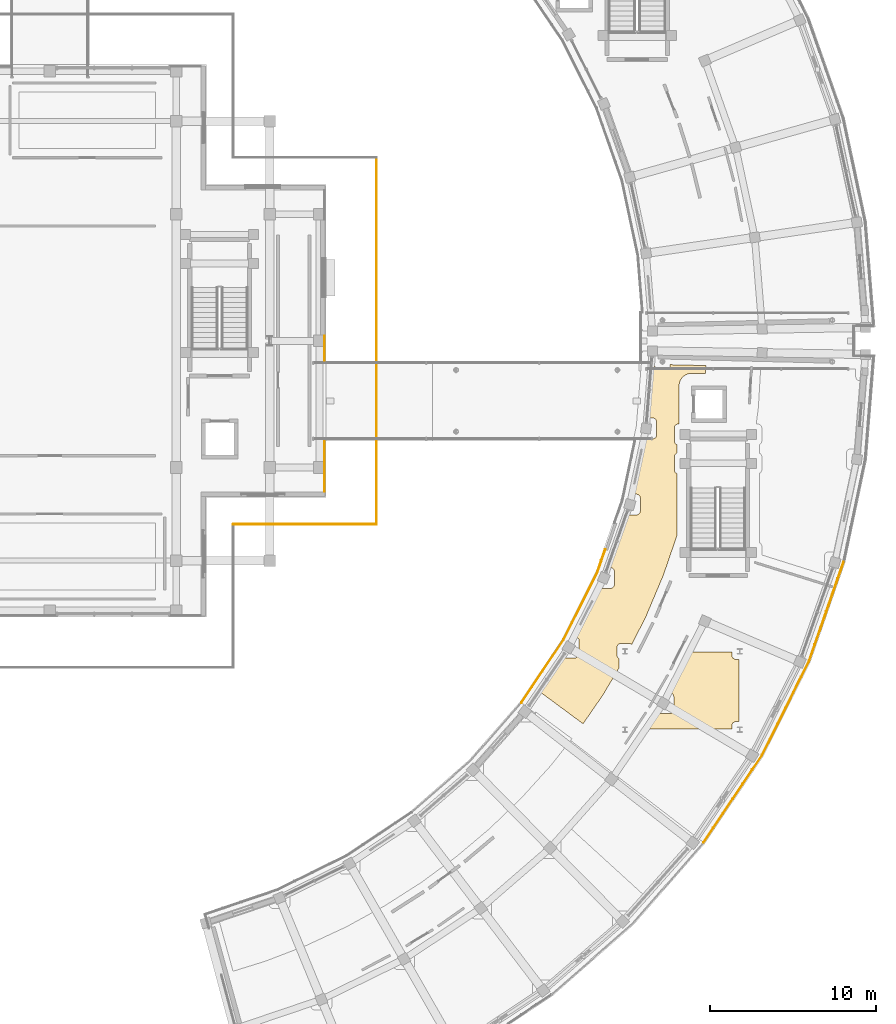
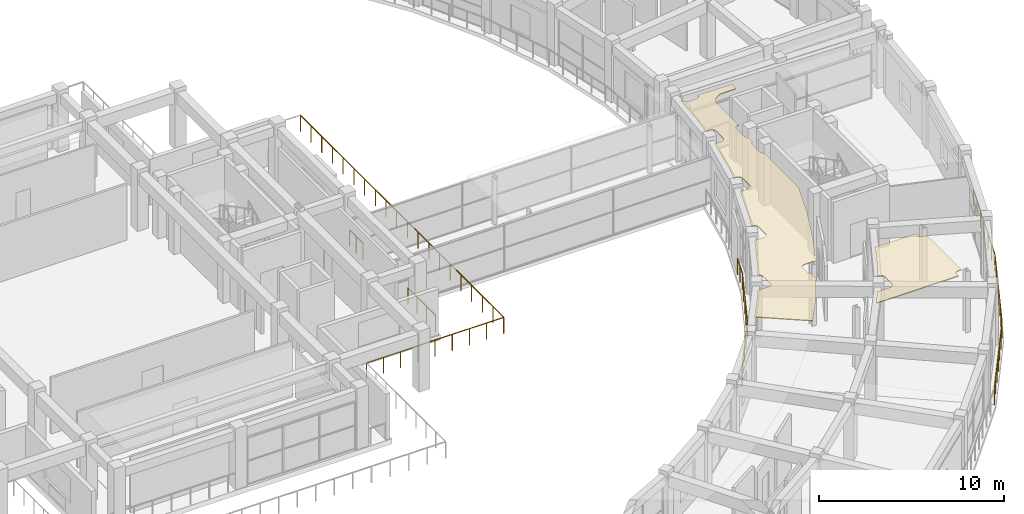
# One storey, part 47 of 53: 10 railings, 2 coverings.
"""IFC4 building model written with IfcOpenShell, lengths in metres."""

from ifc_helpers import new_model, si_unit, direction, frame, origin, origin_2d, place, context, subcontext, project, spatial, polyline, rectangle, outline, extrude, material, layer, layer_set, type_object, element, save


model = new_model("IFC4")

# Units and contexts
model_context = context("Model", 3, precision=1e-05, world=origin(), true_north=direction((0.0, 1.0)))
body_context = subcontext(model_context, "Body", "Model", "MODEL_VIEW")
ifc_project = project(units=[si_unit("LENGTHUNIT", "METRE"), si_unit("AREAUNIT", "SQUARE_METRE"), si_unit("VOLUMEUNIT", "CUBIC_METRE"), si_unit("PLANEANGLEUNIT", "RADIAN"), si_unit("MASSUNIT", "GRAM", prefix="KILO")], contexts=[model_context])

# Site, building, storey
site_placement = place(None, origin())
site = spatial("IfcSite", under=ifc_project, at=site_placement, CompositionType="ELEMENT")
building_placement = place(site_placement, origin())
building = spatial("IfcBuilding", under=site, at=building_placement, Name="Saryqyr Civic Hall", CompositionType="ELEMENT")
storey_placement = place(building_placement, frame((0.0, 0.0, 21.300048828125)))
storey = spatial("IfcBuildingStorey", under=building, at=storey_placement, Name="L05", CompositionType="ELEMENT", Elevation=21.300048828125)

# Railings
ifc_material_1 = material(Name="Stainless steel and laminated glass", Category="steel")
ifc_layer_1 = layer(ifc_material_1, 0.06005859375, Name="Stainless steel and laminated glass")
ifc_layer_set_1 = layer_set([ifc_layer_1], Name="Stainless steel and laminated glass")
railing_type_1 = type_object("IfcRailingType", Name="ENV-RLG-BAL-1100", PredefinedType="BALUSTRADE", material=ifc_layer_set_1)
railing_1_placement = place(storey_placement, frame((68.02001953125, 72.97998046875, 0.0)))
element("IfcRailing", 1, at=railing_1_placement, inside=storey, type_object=railing_type_1, Name="Perimeter safety balustrade V1-STEPG-L05-G03", PredefinedType="BALUSTRADE", context=body_context, shape_type="SweptSolid", body=[
    extrude(rectangle(XDim=0.048095703125, YDim=0.048095703125, at=origin_2d()), frame((0.0, 0.0, 1.076171875), z_axis=(1.0, 0.0, 0.0), x_axis=(0.0, 1.0, 0.0)), (0.0, 0.0, 1.0), 8.60009765625),
    extrude(rectangle(XDim=0.0419921875, YDim=0.0419921875, at=origin_2d()), origin(), (0.0, 0.0, 1.0), 1.052001953125),
    extrude(rectangle(XDim=0.0419921875, YDim=0.0419921875, at=origin_2d()), frame((1.074951171875, 0.0, 0.0)), (0.0, 0.0, 1.0), 1.052001953125),
    extrude(rectangle(XDim=0.0419921875, YDim=0.0419921875, at=origin_2d()), frame((2.14990234375, 0.0, 0.0)), (0.0, 0.0, 1.0), 1.052001953125),
    extrude(rectangle(XDim=0.0419921875, YDim=0.0419921875, at=origin_2d()), frame((3.22509765625, 0.0, 0.0)), (0.0, 0.0, 1.0), 1.052001953125),
    extrude(rectangle(XDim=0.0419921875, YDim=0.0419921875, at=origin_2d()), frame((4.300048828125, 0.0, 0.0)), (0.0, 0.0, 1.0), 1.052001953125),
    extrude(rectangle(XDim=0.0419921875, YDim=0.0419921875, at=origin_2d()), frame((5.375, 0.0, 0.0)), (0.0, 0.0, 1.0), 1.052001953125),
    extrude(rectangle(XDim=0.0419921875, YDim=0.0419921875, at=origin_2d()), frame((6.4501953125, 0.0, 0.0)), (0.0, 0.0, 1.0), 1.052001953125),
    extrude(rectangle(XDim=0.0419921875, YDim=0.0419921875, at=origin_2d()), frame((7.525146484375, 0.0, 0.0)), (0.0, 0.0, 1.0), 1.052001953125),
    extrude(rectangle(XDim=0.0419921875, YDim=0.0419921875, at=origin_2d()), frame((8.60009765625, 0.0, 0.0)), (0.0, 0.0, 1.0), 1.052001953125),
])
railing_2_placement = place(storey_placement, frame((76.6201171875, 72.97998046875, 0.0)))
element("IfcRailing", 2, at=railing_2_placement, inside=storey, type_object=railing_type_1, Name="Perimeter safety balustrade V1-STEPG-L05-G04", PredefinedType="BALUSTRADE", context=body_context, shape_type="SweptSolid", body=[
    extrude(rectangle(XDim=0.048095703125, YDim=0.048095703125, at=origin_2d()), frame((0.0, 0.0, 1.076171875), z_axis=(0.0, 1.0, 0.0), x_axis=(-1.0, 0.0, 0.0)), (0.0, 0.0, 1.0), 22.0400390625),
    extrude(rectangle(XDim=0.0419921875, YDim=0.0419921875, at=origin_2d()), origin(), (0.0, 0.0, 1.0), 1.052001953125),
    extrude(rectangle(XDim=0.0419921875, YDim=0.0419921875, at=origin_2d()), frame((0.0, 1.159912109375, 0.0)), (0.0, 0.0, 1.0), 1.052001953125),
    extrude(rectangle(XDim=0.0419921875, YDim=0.0419921875, at=origin_2d()), frame((0.0, 2.320068359375, 0.0)), (0.0, 0.0, 1.0), 1.052001953125),
    extrude(rectangle(XDim=0.0419921875, YDim=0.0419921875, at=origin_2d()), frame((0.0, 3.47998046875, 0.0)), (0.0, 0.0, 1.0), 1.052001953125),
    extrude(rectangle(XDim=0.0419921875, YDim=0.0419921875, at=origin_2d()), frame((0.0, 4.639892578125, 0.0)), (0.0, 0.0, 1.0), 1.052001953125),
    extrude(rectangle(XDim=0.0419921875, YDim=0.0419921875, at=origin_2d()), frame((0.0, 5.800048828125, 0.0)), (0.0, 0.0, 1.0), 1.052001953125),
    extrude(rectangle(XDim=0.0419921875, YDim=0.0419921875, at=origin_2d()), frame((0.0, 6.9599609375, 0.0)), (0.0, 0.0, 1.0), 1.052001953125),
    extrude(rectangle(XDim=0.0419921875, YDim=0.0419921875, at=origin_2d()), frame((0.0, 8.1201171875, 0.0)), (0.0, 0.0, 1.0), 1.052001953125),
    extrude(rectangle(XDim=0.0419921875, YDim=0.0419921875, at=origin_2d()), frame((0.0, 9.280029296875, 0.0)), (0.0, 0.0, 1.0), 1.052001953125),
    extrude(rectangle(XDim=0.0419921875, YDim=0.0419921875, at=origin_2d()), frame((0.0, 10.43994140625, 0.0)), (0.0, 0.0, 1.0), 1.052001953125),
    extrude(rectangle(XDim=0.0419921875, YDim=0.0419921875, at=origin_2d()), frame((0.0, 11.60009765625, 0.0)), (0.0, 0.0, 1.0), 1.052001953125),
    extrude(rectangle(XDim=0.0419921875, YDim=0.0419921875, at=origin_2d()), frame((0.0, 12.760009765625, 0.0)), (0.0, 0.0, 1.0), 1.052001953125),
    extrude(rectangle(XDim=0.0419921875, YDim=0.0419921875, at=origin_2d()), frame((0.0, 13.919921875, 0.0)), (0.0, 0.0, 1.0), 1.052001953125),
    extrude(rectangle(XDim=0.0419921875, YDim=0.0419921875, at=origin_2d()), frame((0.0, 15.080078125, 0.0)), (0.0, 0.0, 1.0), 1.052001953125),
    extrude(rectangle(XDim=0.0419921875, YDim=0.0419921875, at=origin_2d()), frame((0.0, 16.239990234375, 0.0)), (0.0, 0.0, 1.0), 1.052001953125),
    extrude(rectangle(XDim=0.0419921875, YDim=0.0419921875, at=origin_2d()), frame((0.0, 17.400146484375, 0.0)), (0.0, 0.0, 1.0), 1.052001953125),
    extrude(rectangle(XDim=0.0419921875, YDim=0.0419921875, at=origin_2d()), frame((0.0, 18.56005859375, 0.0)), (0.0, 0.0, 1.0), 1.052001953125),
    extrude(rectangle(XDim=0.0419921875, YDim=0.0419921875, at=origin_2d()), frame((0.0, 19.719970703125, 0.0)), (0.0, 0.0, 1.0), 1.052001953125),
    extrude(rectangle(XDim=0.0419921875, YDim=0.0419921875, at=origin_2d()), frame((0.0, 20.880126953125, 0.0)), (0.0, 0.0, 1.0), 1.052001953125),
    extrude(rectangle(XDim=0.0419921875, YDim=0.0419921875, at=origin_2d()), frame((0.0, 22.0400390625, 0.0)), (0.0, 0.0, 1.0), 1.052001953125),
])

# Coverings
ifc_material_2 = material(Name="Mineral-fibre acoustic ceiling tile", Category="acoustic_tile")
ifc_layer_2 = layer(ifc_material_2, 0.06005859375, Name="Mineral-fibre acoustic ceiling tile")
ifc_layer_set_2 = layer_set([ifc_layer_2], Name="Mineral-fibre acoustic ceiling tile")
covering_type = type_object("IfcCoveringType", Name="INT-COV-CEIL-60", PredefinedType="CEILING", material=ifc_layer_set_2)
covering_1_placement = place(storey_placement, frame((0.0, 0.0, 3.72998046875)))
element("IfcCovering", 3, at=covering_1_placement, inside=storey, type_object=covering_type, Name="Acoustic ceiling Elected Members' Working Offices", PredefinedType="CEILING", context=body_context, shape_type="SweptSolid", body=[
    extrude(outline(polyline([(93.364501953125, 61.52392578125), (93.38232421875, 61.552978515625), (93.41455078125, 61.609130859375), (93.42236328125, 61.607177734375), (93.44677734375, 61.603515625), (93.47119140625, 61.602294921875), (94.231201171875, 61.602294921875), (94.255615234375, 61.603515625), (94.280029296875, 61.607177734375), (94.3037109375, 61.613037109375), (94.326904296875, 61.621337890625), (94.34912109375, 61.6318359375), (94.3701171875, 61.644287109375), (94.389892578125, 61.658935546875), (94.407958984375, 61.675537109375), (94.424560546875, 61.693603515625), (94.439208984375, 61.71337890625), (94.45166015625, 61.734619140625), (94.462158203125, 61.756591796875), (94.470458984375, 61.77978515625), (94.476318359375, 61.803466796875), (94.47998046875, 61.827880859375), (94.481201171875, 61.852294921875), (94.481201171875, 62.6123046875), (94.47998046875, 62.63671875), (94.476318359375, 62.6611328125), (94.470458984375, 62.684814453125), (94.462158203125, 62.7080078125), (94.45166015625, 62.72998046875), (94.439208984375, 62.751220703125), (94.424560546875, 62.77099609375), (94.407958984375, 62.7890625), (94.389892578125, 62.8056640625), (94.3701171875, 62.8203125), (94.34912109375, 62.832763671875), (94.326904296875, 62.84326171875), (94.3037109375, 62.8515625), (94.280029296875, 62.857421875), (94.255615234375, 62.861083984375), (94.231201171875, 62.8623046875), (94.1357421875, 62.8623046875), (94.689208984375, 63.823974609375), (94.705078125, 63.85400390625), (95.421630859375, 65.300048828125), (97.969970703125, 65.300048828125), (97.969970703125, 65.1201171875), (97.97119140625, 65.095458984375), (97.974853515625, 65.0712890625), (97.980712890625, 65.04736328125), (97.989013671875, 65.0244140625), (97.99951171875, 65.002197265625), (98.01220703125, 64.981201171875), (98.026611328125, 64.96142578125), (98.043212890625, 64.943115234375), (98.061279296875, 64.9267578125), (98.0810546875, 64.912109375), (98.102294921875, 64.8994140625), (98.124267578125, 64.888916015625), (98.1474609375, 64.880859375), (98.171142578125, 64.874755859375), (98.195556640625, 64.87109375), (98.219970703125, 64.8701171875), (98.39990234375, 64.8701171875), (98.39990234375, 61.1298828125), (98.219970703125, 61.1298828125), (98.195556640625, 61.12890625), (98.171142578125, 61.125244140625), (98.1474609375, 61.119140625), (98.124267578125, 61.111083984375), (98.102294921875, 61.1005859375), (98.0810546875, 61.087890625), (98.061279296875, 61.0732421875), (98.043212890625, 61.056884765625), (98.026611328125, 61.03857421875), (98.01220703125, 61.018798828125), (97.99951171875, 60.997802734375), (97.989013671875, 60.9755859375), (97.980712890625, 60.95263671875), (97.974853515625, 60.9287109375), (97.97119140625, 60.904541015625), (97.969970703125, 60.8798828125), (97.969970703125, 60.699951171875), (92.819580078125, 60.699951171875), (93.364501953125, 61.52392578125)])), origin(), (0.0, 0.0, 1.0), 0.06005859375),
])
covering_2_placement = place(storey_placement, frame((0.0, 0.0, 3.719970703125)))
element("IfcCovering", 4, at=covering_2_placement, inside=storey, type_object=covering_type, Name="Acoustic ceiling Council Secretariat & Verbatim Office", PredefinedType="CEILING", context=body_context, shape_type="SweptSolid", body=[
    extrude(outline(polyline([(91.938720703125, 65.773193359375), (91.9189453125, 65.787841796875), (91.897705078125, 65.800537109375), (91.875732421875, 65.81103515625), (91.8525390625, 65.819091796875), (91.828857421875, 65.8251953125), (91.804443359375, 65.828857421875), (91.780029296875, 65.830078125), (91.320068359375, 65.830078125), (91.29541015625, 65.828857421875), (91.271240234375, 65.8251953125), (91.247314453125, 65.819091796875), (91.224365234375, 65.81103515625), (91.2021484375, 65.800537109375), (91.18115234375, 65.787841796875), (91.161376953125, 65.773193359375), (91.143310546875, 65.7568359375), (91.126708984375, 65.738525390625), (91.112060546875, 65.718994140625), (91.099609375, 65.69775390625), (91.089111328125, 65.67578125), (91.080810546875, 65.652587890625), (91.07470703125, 65.62890625), (91.0712890625, 65.6044921875), (91.070068359375, 65.580078125), (91.070068359375, 65.1201171875), (91.0712890625, 65.095458984375), (91.07470703125, 65.0712890625), (91.080810546875, 65.04736328125), (91.089111328125, 65.0244140625), (91.099609375, 65.002197265625), (91.112060546875, 64.981201171875), (91.126708984375, 64.96142578125), (91.143310546875, 64.943115234375), (91.161376953125, 64.9267578125), (91.18115234375, 64.912109375), (91.18408203125, 64.910400390625), (91.184814453125, 64.349365234375), (90.233154296875, 62.74365234375), (89.03125, 60.99853515625), (86.475830078125, 62.89013671875), (87.544189453125, 64.44140625), (87.564453125, 64.472900390625), (87.8525390625, 64.958984375), (88.548583984375, 64.958984375), (88.572998046875, 64.960205078125), (88.597412109375, 64.9638671875), (88.62109375, 64.9697265625), (88.644287109375, 64.97802734375), (88.666259765625, 64.988525390625), (88.6875, 65.001220703125), (88.70703125, 65.015625), (88.725341796875, 65.0322265625), (88.74169921875, 65.05029296875), (88.75634765625, 65.070068359375), (88.76904296875, 65.09130859375), (88.779541015625, 65.11328125), (88.78759765625, 65.136474609375), (88.793701171875, 65.16015625), (88.79736328125, 65.1845703125), (88.798583984375, 65.208984375), (88.798583984375, 65.968994140625), (88.79736328125, 65.993408203125), (88.793701171875, 66.017822265625), (88.78759765625, 66.04150390625), (88.779541015625, 66.064697265625), (88.76904296875, 66.0869140625), (88.75634765625, 66.10791015625), (88.74169921875, 66.127685546875), (88.725341796875, 66.145751953125), (88.70703125, 66.162353515625), (88.6875, 66.177001953125), (88.666259765625, 66.189453125), (88.644287109375, 66.199951171875), (88.62109375, 66.208251953125), (88.597412109375, 66.214111328125), (88.596435546875, 66.21435546875), (88.805908203125, 66.56787109375), (88.823974609375, 66.6005859375), (89.919677734375, 68.775390625), (89.935302734375, 68.809326171875), (90.0703125, 69.129638671875), (90.661376953125, 69.129638671875), (90.685791015625, 69.130859375), (90.710205078125, 69.134521484375), (90.73388671875, 69.140380859375), (90.757080078125, 69.148681640625), (90.779296875, 69.1591796875), (90.80029296875, 69.171630859375), (90.820068359375, 69.186279296875), (90.838134765625, 69.202880859375), (90.854736328125, 69.220947265625), (90.869384765625, 69.24072265625), (90.8818359375, 69.26171875), (90.892333984375, 69.283935546875), (90.900634765625, 69.306884765625), (90.906494140625, 69.330810546875), (90.91015625, 69.35498046875), (90.911376953125, 69.379638671875), (90.911376953125, 70.1396484375), (90.91015625, 70.1640625), (90.906494140625, 70.1884765625), (90.900634765625, 70.212158203125), (90.892333984375, 70.2353515625), (90.8818359375, 70.25732421875), (90.869384765625, 70.278564453125), (90.854736328125, 70.298095703125), (90.838134765625, 70.31640625), (90.820068359375, 70.3330078125), (90.80029296875, 70.347412109375), (90.779296875, 70.360107421875), (90.757080078125, 70.37060546875), (90.73388671875, 70.37890625), (90.710205078125, 70.384765625), (90.685791015625, 70.388427734375), (90.661376953125, 70.3896484375), (90.600830078125, 70.3896484375), (90.88037109375, 71.053466796875), (90.893798828125, 71.088623046875), (91.683837890625, 73.39208984375), (91.694580078125, 73.427734375), (91.72412109375, 73.537841796875), (92.21923828125, 73.537841796875), (92.24365234375, 73.5390625), (92.26806640625, 73.54248046875), (92.291748046875, 73.548583984375), (92.31494140625, 73.556884765625), (92.3369140625, 73.5673828125), (92.358154296875, 73.579833984375), (92.377685546875, 73.594482421875), (92.39599609375, 73.611083984375), (92.41259765625, 73.629150390625), (92.427001953125, 73.64892578125), (92.439697265625, 73.669921875), (92.4501953125, 73.692138671875), (92.45849609375, 73.715087890625), (92.46435546875, 73.739013671875), (92.468017578125, 73.76318359375), (92.46923828125, 73.787841796875), (92.46923828125, 74.5478515625), (92.468017578125, 74.572265625), (92.46435546875, 74.5966796875), (92.45849609375, 74.620361328125), (92.4501953125, 74.6435546875), (92.439697265625, 74.66552734375), (92.427001953125, 74.686767578125), (92.41259765625, 74.706298828125), (92.39599609375, 74.724609375), (92.377685546875, 74.7412109375), (92.358154296875, 74.755615234375), (92.3369140625, 74.768310546875), (92.31494140625, 74.77880859375), (92.291748046875, 74.787109375), (92.26806640625, 74.79296875), (92.24365234375, 74.796630859375), (92.21923828125, 74.7978515625), (92.0625, 74.7978515625), (92.325927734375, 75.779541015625), (92.33447265625, 75.816162109375), (92.78515625, 78.10986328125), (93.19580078125, 78.10986328125), (93.22021484375, 78.111083984375), (93.24462890625, 78.11474609375), (93.268310546875, 78.12060546875), (93.29150390625, 78.12890625), (93.313720703125, 78.139404296875), (93.334716796875, 78.152099609375), (93.3544921875, 78.16650390625), (93.37255859375, 78.18310546875), (93.38916015625, 78.201416015625), (93.40380859375, 78.220947265625), (93.416259765625, 78.2421875), (93.4267578125, 78.26416015625), (93.43505859375, 78.287353515625), (93.44091796875, 78.31103515625), (93.444580078125, 78.33544921875), (93.44580078125, 78.35986328125), (93.44580078125, 79.119873046875), (93.444580078125, 79.144287109375), (93.44091796875, 79.168701171875), (93.43505859375, 79.1923828125), (93.4267578125, 79.215576171875), (93.416259765625, 79.23779296875), (93.40380859375, 79.2587890625), (93.38916015625, 79.278564453125), (93.37255859375, 79.296630859375), (93.3544921875, 79.313232421875), (93.334716796875, 79.327880859375), (93.313720703125, 79.34033203125), (93.29150390625, 79.350830078125), (93.268310546875, 79.359130859375), (93.24462890625, 79.364990234375), (93.22021484375, 79.36865234375), (93.19580078125, 79.369873046875), (92.952392578125, 79.369873046875), (93.115478515625, 80.658447265625), (93.118896484375, 80.69580078125), (93.228515625, 82.595947265625), (93.33349609375, 82.593505859375), (93.33349609375, 82.533447265625), (93.334716796875, 82.509033203125), (93.33837890625, 82.484619140625), (93.34423828125, 82.4609375), (93.3525390625, 82.437744140625), (93.363037109375, 82.415771484375), (93.37548828125, 82.39453125), (93.39013671875, 82.375), (93.40673828125, 82.356689453125), (93.4248046875, 82.340087890625), (93.444580078125, 82.32568359375), (93.4658203125, 82.31298828125), (93.48779296875, 82.302490234375), (93.510986328125, 82.294189453125), (93.53466796875, 82.288330078125), (93.55908203125, 82.28466796875), (93.58349609375, 82.283447265625), (94.0166015625, 82.283447265625), (94.041015625, 82.28466796875), (94.065185546875, 82.288330078125), (94.089111328125, 82.294189453125), (94.1123046875, 82.302490234375), (94.13427734375, 82.31298828125), (94.155517578125, 82.32568359375), (94.175048828125, 82.340087890625), (94.193359375, 82.356689453125), (94.209716796875, 82.375), (94.224365234375, 82.39453125), (94.237060546875, 82.415771484375), (94.24755859375, 82.437744140625), (94.255615234375, 82.4609375), (94.26171875, 82.484619140625), (94.265380859375, 82.509033203125), (94.2666015625, 82.533447265625), (94.2666015625, 82.571533203125), (96.406982421875, 82.521240234375), (96.3798828125, 82.050048828125), (95.550048828125, 82.050048828125), (95.530517578125, 82.049560546875), (95.49609375, 82.0478515625), (95.45703125, 82.0439453125), (95.423095703125, 82.038818359375), (95.384521484375, 82.03125), (95.351318359375, 82.02294921875), (95.313720703125, 82.011474609375), (95.28125, 82.0), (95.2451171875, 81.985107421875), (95.214111328125, 81.97021484375), (95.179443359375, 81.951904296875), (95.14990234375, 81.93408203125), (95.1171875, 81.912353515625), (95.089599609375, 81.891845703125), (95.059326171875, 81.866943359375), (95.033935546875, 81.843994140625), (95.006103515625, 81.816162109375), (94.983154296875, 81.790771484375), (94.958251953125, 81.76025390625), (94.937744140625, 81.732666015625), (94.916015625, 81.7001953125), (94.898193359375, 81.670654296875), (94.879638671875, 81.635986328125), (94.864990234375, 81.60498046875), (94.85009765625, 81.568603515625), (94.83837890625, 81.536376953125), (94.8271484375, 81.498779296875), (94.818603515625, 81.465576171875), (94.81103515625, 81.427001953125), (94.805908203125, 81.39306640625), (94.80224609375, 81.35400390625), (94.800537109375, 81.319580078125), (94.800048828125, 81.300048828125), (94.800048828125, 79.10009765625), (94.800537109375, 79.080322265625), (94.80224609375, 79.046142578125), (94.8056640625, 79.010009765625), (94.760009765625, 79.010009765625), (94.735595703125, 79.0087890625), (94.711181640625, 79.005126953125), (94.6875, 78.999267578125), (94.664306640625, 78.990966796875), (94.64208984375, 78.98046875), (94.62109375, 78.968017578125), (94.601318359375, 78.953369140625), (94.583251953125, 78.936767578125), (94.566650390625, 78.918701171875), (94.552001953125, 78.89892578125), (94.53955078125, 78.877685546875), (94.529052734375, 78.855712890625), (94.520751953125, 78.83251953125), (94.514892578125, 78.808837890625), (94.51123046875, 78.784423828125), (94.510009765625, 78.760009765625), (94.510009765625, 78.0), (94.51123046875, 77.9755859375), (94.514892578125, 77.951171875), (94.520751953125, 77.927490234375), (94.529052734375, 77.904296875), (94.53955078125, 77.882080078125), (94.552001953125, 77.861083984375), (94.566650390625, 77.84130859375), (94.583251953125, 77.8232421875), (94.601318359375, 77.806640625), (94.62109375, 77.7919921875), (94.64208984375, 77.779541015625), (94.659912109375, 77.77099609375), (94.659912109375, 77.2587890625), (94.64208984375, 77.25048828125), (94.62109375, 77.23779296875), (94.601318359375, 77.223388671875), (94.583251953125, 77.206787109375), (94.566650390625, 77.188720703125), (94.552001953125, 77.1689453125), (94.53955078125, 77.147705078125), (94.529052734375, 77.125732421875), (94.520751953125, 77.1025390625), (94.514892578125, 77.078857421875), (94.51123046875, 77.054443359375), (94.510009765625, 77.030029296875), (94.510009765625, 76.27001953125), (94.51123046875, 76.24560546875), (94.514892578125, 76.22119140625), (94.520751953125, 76.197509765625), (94.529052734375, 76.17431640625), (94.53955078125, 76.152099609375), (94.552001953125, 76.131103515625), (94.566650390625, 76.111328125), (94.583251953125, 76.09326171875), (94.601318359375, 76.07666015625), (94.62109375, 76.06201171875), (94.64208984375, 76.049560546875), (94.659912109375, 76.041015625), (94.659912109375, 72.275634765625), (93.858154296875, 69.9375), (92.814453125, 67.458984375), (91.956787109375, 65.7568359375), (91.938720703125, 65.773193359375)])), origin(), (0.0, 0.0, 1.0), 0.06005859375),
])

# Railings
ifc_material_3 = material(Name="Warm brushed brass and laminated glass", Category="glass")
ifc_layer_3 = layer(ifc_material_3, 0.06005859375, Name="Warm brushed brass and laminated glass")
ifc_layer_set_3 = layer_set([ifc_layer_3], Name="Warm brushed brass and laminated glass")
railing_type_2 = type_object("IfcRailingType", Name="INT-RLG-BAL-1100", PredefinedType="BALUSTRADE", material=ifc_layer_set_3)
railing_3_placement = place(storey_placement, frame((73.5, 84.284912109375, 0.0)))
element("IfcRailing", 5, at=railing_3_placement, inside=storey, type_object=railing_type_2, Name="Interior deck safety balustrade L05-008", PredefinedType="BALUSTRADE", context=body_context, shape_type="SweptSolid", body=[
    extrude(rectangle(XDim=0.048095703125, YDim=0.048095703125, at=origin_2d()), frame((0.0, 0.0, 1.09619140625), z_axis=(0.0, -1.0, 0.0), x_axis=(1.0, 0.0, 0.0)), (0.0, 0.0, 1.0), 1.44482421875),
    extrude(rectangle(XDim=0.0419921875, YDim=0.0419921875, at=origin_2d()), origin(), (0.0, 0.0, 1.0), 1.072021484375),
    extrude(rectangle(XDim=0.0419921875, YDim=0.0419921875, at=origin_2d()), frame((0.0, -0.722412109375, 0.0)), (0.0, 0.0, 1.0), 1.072021484375),
    extrude(rectangle(XDim=0.0419921875, YDim=0.0419921875, at=origin_2d()), frame((0.0, -1.44482421875, 0.0)), (0.0, 0.0, 1.0), 1.072021484375),
])
railing_4_placement = place(storey_placement, frame((104.683349609375, 70.71337890625, 0.0)))
element("IfcRailing", 6, at=railing_4_placement, inside=storey, type_object=railing_type_2, Name="Interior deck safety balustrade L05-037", PredefinedType="BALUSTRADE", context=body_context, shape_type="SweptSolid", body=[
    extrude(rectangle(XDim=0.048095703125, YDim=0.048095703125, at=origin_2d()), frame((0.0, 0.0, 1.09619140625), z_axis=(-0.329288741156, -0.944229275625, 0.0), x_axis=(0.944229275625, -0.329288741156, 0.0)), (0.0, 0.0, 1.0), 6.31103515625),
    extrude(rectangle(XDim=0.0419921875, YDim=0.0419921875, at=origin_2d()), origin(), (0.0, 0.0, 1.0), 1.072021484375),
    extrude(rectangle(XDim=0.0419921875, YDim=0.0419921875, at=origin_2d()), frame((-0.346435546875, -0.9931640625, 0.0)), (0.0, 0.0, 1.0), 1.072021484375),
    extrude(rectangle(XDim=0.0419921875, YDim=0.0419921875, at=origin_2d()), frame((-0.692626953125, -1.986328125, 0.0)), (0.0, 0.0, 1.0), 1.072021484375),
    extrude(rectangle(XDim=0.0419921875, YDim=0.0419921875, at=origin_2d()), frame((-1.0390625, -2.9794921875, 0.0)), (0.0, 0.0, 1.0), 1.072021484375),
    extrude(rectangle(XDim=0.0419921875, YDim=0.0419921875, at=origin_2d()), frame((-1.385498046875, -3.97265625, 0.0)), (0.0, 0.0, 1.0), 1.072021484375),
    extrude(rectangle(XDim=0.0419921875, YDim=0.0419921875, at=origin_2d()), frame((-1.731689453125, -4.9658203125, 0.0)), (0.0, 0.0, 1.0), 1.072021484375),
    extrude(rectangle(XDim=0.0419921875, YDim=0.0419921875, at=origin_2d()), frame((-2.078125, -5.958984375, 0.0)), (0.0, 0.0, 1.0), 1.072021484375),
])
railing_5_placement = place(storey_placement, frame((102.605224609375, 64.75439453125, 0.0)))
element("IfcRailing", 7, at=railing_5_placement, inside=storey, type_object=railing_type_2, Name="Interior deck safety balustrade L05-038", PredefinedType="BALUSTRADE", context=body_context, shape_type="SweptSolid", body=[
    extrude(rectangle(XDim=0.048095703125, YDim=0.048095703125, at=origin_2d()), frame((0.0, 0.0, 1.09619140625), z_axis=(-0.446733837766, -0.894666909076, 0.0), x_axis=(0.894666909076, -0.446733837766, 0.0)), (0.0, 0.0, 1.0), 6.31103515625),
    extrude(rectangle(XDim=0.0419921875, YDim=0.0419921875, at=origin_2d()), origin(), (0.0, 0.0, 1.0), 1.072021484375),
    extrude(rectangle(XDim=0.0419921875, YDim=0.0419921875, at=origin_2d()), frame((-0.469970703125, -0.94091796875, 0.0)), (0.0, 0.0, 1.0), 1.072021484375),
    extrude(rectangle(XDim=0.0419921875, YDim=0.0419921875, at=origin_2d()), frame((-0.939697265625, -1.882080078125, 0.0)), (0.0, 0.0, 1.0), 1.072021484375),
    extrude(rectangle(XDim=0.0419921875, YDim=0.0419921875, at=origin_2d()), frame((-1.40966796875, -2.8232421875, 0.0)), (0.0, 0.0, 1.0), 1.072021484375),
    extrude(rectangle(XDim=0.0419921875, YDim=0.0419921875, at=origin_2d()), frame((-1.879638671875, -3.76416015625, 0.0)), (0.0, 0.0, 1.0), 1.072021484375),
    extrude(rectangle(XDim=0.0419921875, YDim=0.0419921875, at=origin_2d()), frame((-2.349365234375, -4.705078125, 0.0)), (0.0, 0.0, 1.0), 1.072021484375),
    extrude(rectangle(XDim=0.0419921875, YDim=0.0419921875, at=origin_2d()), frame((-2.8193359375, -5.646240234375, 0.0)), (0.0, 0.0, 1.0), 1.072021484375),
])
railing_6_placement = place(storey_placement, frame((99.785888671875, 59.108154296875, 0.0)))
element("IfcRailing", 8, at=railing_6_placement, inside=storey, type_object=railing_type_2, Name="Interior deck safety balustrade L05-039", PredefinedType="BALUSTRADE", context=body_context, shape_type="SweptSolid", body=[
    extrude(rectangle(XDim=0.048095703125, YDim=0.048095703125, at=origin_2d()), frame((0.0, 0.0, 1.09619140625), z_axis=(-0.556965587004, -0.830535571119, 0.0), x_axis=(0.830535571119, -0.556965587004, 0.0)), (0.0, 0.0, 1.0), 6.311279296875),
    extrude(rectangle(XDim=0.0419921875, YDim=0.0419921875, at=origin_2d()), origin(), (0.0, 0.0, 1.0), 1.072021484375),
    extrude(rectangle(XDim=0.0419921875, YDim=0.0419921875, at=origin_2d()), frame((-0.5859375, -0.87353515625, 0.0)), (0.0, 0.0, 1.0), 1.072021484375),
    extrude(rectangle(XDim=0.0419921875, YDim=0.0419921875, at=origin_2d()), frame((-1.171630859375, -1.747314453125, 0.0)), (0.0, 0.0, 1.0), 1.072021484375),
    extrude(rectangle(XDim=0.0419921875, YDim=0.0419921875, at=origin_2d()), frame((-1.757568359375, -2.620849609375, 0.0)), (0.0, 0.0, 1.0), 1.072021484375),
    extrude(rectangle(XDim=0.0419921875, YDim=0.0419921875, at=origin_2d()), frame((-2.343505859375, -3.494384765625, 0.0)), (0.0, 0.0, 1.0), 1.072021484375),
    extrude(rectangle(XDim=0.0419921875, YDim=0.0419921875, at=origin_2d()), frame((-2.92919921875, -4.3681640625, 0.0)), (0.0, 0.0, 1.0), 1.072021484375),
    extrude(rectangle(XDim=0.0419921875, YDim=0.0419921875, at=origin_2d()), frame((-3.51513671875, -5.24169921875, 0.0)), (0.0, 0.0, 1.0), 1.072021484375),
])
railing_7_placement = place(storey_placement, frame((85.322998046875, 62.26708984375, 0.0)))
element("IfcRailing", 9, at=railing_7_placement, inside=storey, type_object=railing_type_2, Name="Interior deck safety balustrade L05-052", PredefinedType="BALUSTRADE", context=body_context, shape_type="SweptSolid", body=[
    extrude(rectangle(XDim=0.048095703125, YDim=0.048095703125, at=origin_2d()), frame((0.0, 0.0, 1.09619140625), z_axis=(0.556913853802, 0.830570261593, 0.0), x_axis=(-0.830570261593, 0.556913853802, 0.0)), (0.0, 0.0, 1.0), 4.5517578125),
    extrude(rectangle(XDim=0.0419921875, YDim=0.0419921875, at=origin_2d()), origin(), (0.0, 0.0, 1.0), 1.072021484375),
    extrude(rectangle(XDim=0.0419921875, YDim=0.0419921875, at=origin_2d()), frame((0.6337890625, 0.945068359375, 0.0)), (0.0, 0.0, 1.0), 1.072021484375),
    extrude(rectangle(XDim=0.0419921875, YDim=0.0419921875, at=origin_2d()), frame((1.267578125, 1.89013671875, 0.0)), (0.0, 0.0, 1.0), 1.072021484375),
    extrude(rectangle(XDim=0.0419921875, YDim=0.0419921875, at=origin_2d()), frame((1.901123046875, 2.83544921875, 0.0)), (0.0, 0.0, 1.0), 1.072021484375),
    extrude(rectangle(XDim=0.0419921875, YDim=0.0419921875, at=origin_2d()), frame((2.534912109375, 3.780517578125, 0.0)), (0.0, 0.0, 1.0), 1.072021484375),
])
railing_8_placement = place(storey_placement, frame((87.85791015625, 66.047607421875, 0.0)))
element("IfcRailing", 10, at=railing_8_placement, inside=storey, type_object=railing_type_2, Name="Interior deck safety balustrade L05-053", PredefinedType="BALUSTRADE", context=body_context, shape_type="SweptSolid", body=[
    extrude(rectangle(XDim=0.048095703125, YDim=0.048095703125, at=origin_2d()), frame((0.0, 0.0, 1.09619140625), z_axis=(0.446762967387, 0.894652363195, 0.0), x_axis=(-0.894652363195, 0.446762967387, 0.0)), (0.0, 0.0, 1.0), 4.551513671875),
    extrude(rectangle(XDim=0.0419921875, YDim=0.0419921875, at=origin_2d()), origin(), (0.0, 0.0, 1.0), 1.072021484375),
    extrude(rectangle(XDim=0.0419921875, YDim=0.0419921875, at=origin_2d()), frame((0.50830078125, 1.01806640625, 0.0)), (0.0, 0.0, 1.0), 1.072021484375),
    extrude(rectangle(XDim=0.0419921875, YDim=0.0419921875, at=origin_2d()), frame((1.0166015625, 2.0361328125, 0.0)), (0.0, 0.0, 1.0), 1.072021484375),
    extrude(rectangle(XDim=0.0419921875, YDim=0.0419921875, at=origin_2d()), frame((1.525146484375, 3.053955078125, 0.0)), (0.0, 0.0, 1.0), 1.072021484375),
    extrude(rectangle(XDim=0.0419921875, YDim=0.0419921875, at=origin_2d()), frame((2.033447265625, 4.072021484375, 0.0)), (0.0, 0.0, 1.0), 1.072021484375),
])
railing_9_placement = place(storey_placement, frame((89.891357421875, 70.11962890625, 0.0)))
element("IfcRailing", 11, at=railing_9_placement, inside=storey, type_object=railing_type_2, Name="Interior deck safety balustrade L05-054", PredefinedType="BALUSTRADE", context=body_context, shape_type="SweptSolid", body=[
    extrude(rectangle(XDim=0.048095703125, YDim=0.048095703125, at=origin_2d()), frame((0.0, 0.0, 1.09619140625), z_axis=(0.329332996364, 0.944213840984, 0.0), x_axis=(-0.944213840984, 0.329332996364, 0.0)), (0.0, 0.0, 1.0), 1.421875),
    extrude(rectangle(XDim=0.0419921875, YDim=0.0419921875, at=origin_2d()), origin(), (0.0, 0.0, 1.0), 1.072021484375),
    extrude(rectangle(XDim=0.0419921875, YDim=0.0419921875, at=origin_2d()), frame((0.234130859375, 0.67138671875, 0.0)), (0.0, 0.0, 1.0), 1.072021484375),
    extrude(rectangle(XDim=0.0419921875, YDim=0.0419921875, at=origin_2d()), frame((0.46826171875, 1.342529296875, 0.0)), (0.0, 0.0, 1.0), 1.072021484375),
])
railing_10_placement = place(storey_placement, frame((73.5, 77.9599609375, 0.0)))
element("IfcRailing", 12, at=railing_10_placement, inside=storey, type_object=railing_type_2, Name="Interior deck safety balustrade L05-057", PredefinedType="BALUSTRADE", context=body_context, shape_type="SweptSolid", body=[
    extrude(rectangle(XDim=0.048095703125, YDim=0.048095703125, at=origin_2d()), frame((0.0, 0.0, 1.09619140625), z_axis=(0.0, -1.0, 0.0), x_axis=(1.0, 0.0, 0.0)), (0.0, 0.0, 1.0), 3.0048828125),
    extrude(rectangle(XDim=0.0419921875, YDim=0.0419921875, at=origin_2d()), origin(), (0.0, 0.0, 1.0), 1.072021484375),
    extrude(rectangle(XDim=0.0419921875, YDim=0.0419921875, at=origin_2d()), frame((0.0, -1.001708984375, 0.0)), (0.0, 0.0, 1.0), 1.072021484375),
    extrude(rectangle(XDim=0.0419921875, YDim=0.0419921875, at=origin_2d()), frame((0.0, -2.003173828125, 0.0)), (0.0, 0.0, 1.0), 1.072021484375),
    extrude(rectangle(XDim=0.0419921875, YDim=0.0419921875, at=origin_2d()), frame((0.0, -3.0048828125, 0.0)), (0.0, 0.0, 1.0), 1.072021484375),
])

save(model, "model.ifc")
